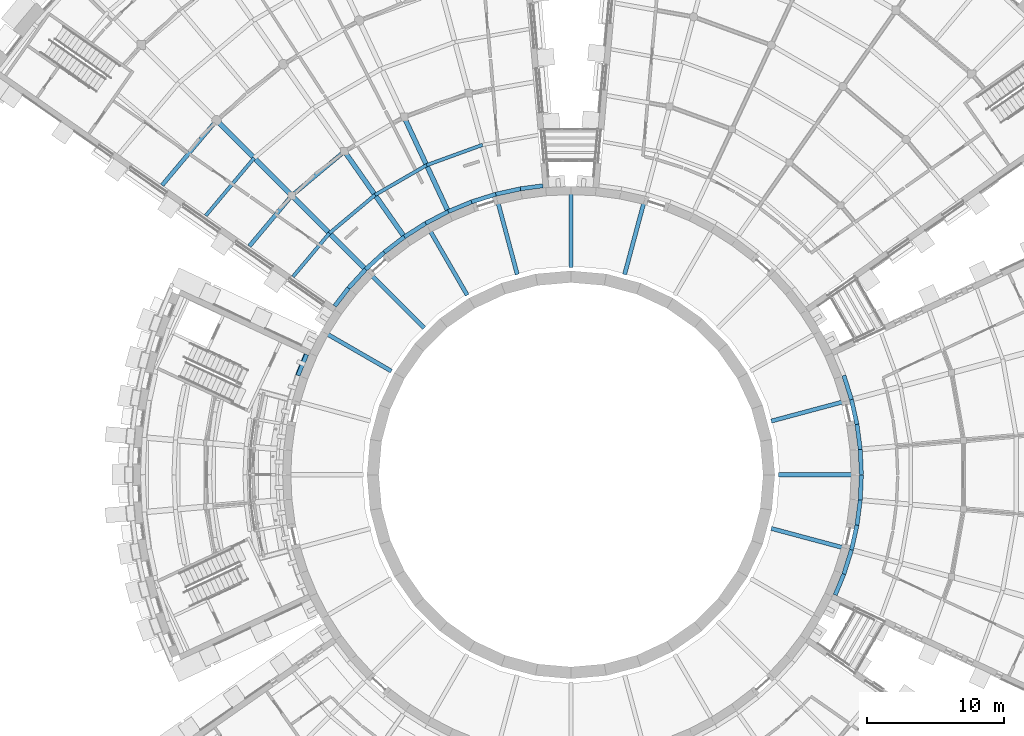
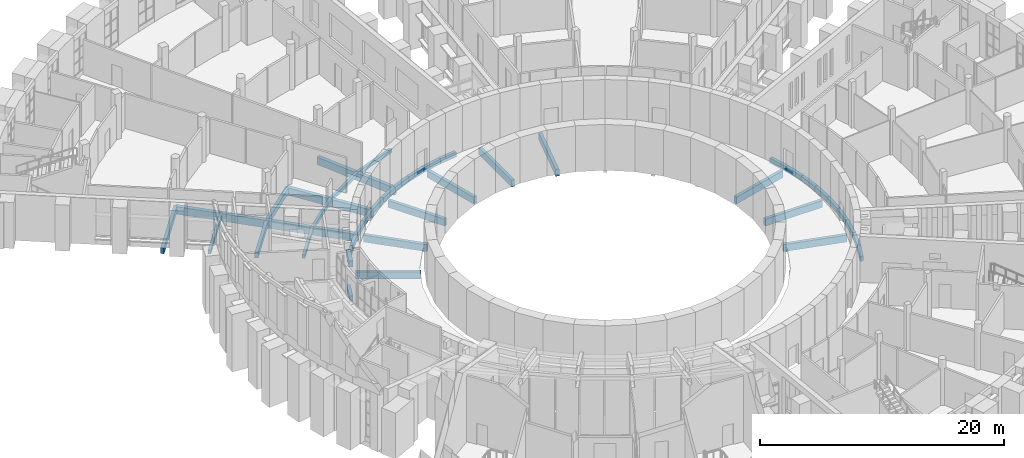
# One storey, part 12 of 66: 42 beams.
"""IFC4 building model written with IfcOpenShell, lengths in metres."""

from ifc_helpers import new_model, si_unit, direction, frame, origin, origin_2d, place, context, subcontext, project, spatial, rectangle, extrude, material, material_profile, profile_set, type_object, element, save


model = new_model("IFC4")

# Units and contexts
model_context = context("Model", 3, precision=1e-05, world=origin(), true_north=direction((0.0, 1.0)))
body_context = subcontext(model_context, "Body", "Model", "MODEL_VIEW")
ifc_project = project(units=[si_unit("LENGTHUNIT", "METRE"), si_unit("AREAUNIT", "SQUARE_METRE"), si_unit("VOLUMEUNIT", "CUBIC_METRE"), si_unit("PLANEANGLEUNIT", "RADIAN"), si_unit("MASSUNIT", "GRAM", prefix="KILO")], contexts=[model_context])

# Site, building, storey
site_placement = place(None, origin())
site = spatial("IfcSite", under=ifc_project, at=site_placement, CompositionType="ELEMENT")
building_placement = place(site_placement, origin())
building = spatial("IfcBuilding", under=site, at=building_placement, Name="Volute Hill Aquarium", CompositionType="ELEMENT")
storey_placement = place(building_placement, frame((0.0, 0.0, 4.60009765625)))
storey = spatial("IfcBuildingStorey", under=building, at=storey_placement, Name="L02", CompositionType="ELEMENT", Elevation=4.60009765625)

# Beams
ifc_material_1 = material(Name="Concrete C35/45", Category="concrete")
ifc_material_profile_1 = material_profile(ifc_material_1, rectangle(XDim=0.300048828125, YDim=0.550048828125, at=origin_2d()), Name="RC beam 300x550")
ifc_profile_set_1 = profile_set([ifc_material_profile_1], Name="Concrete C35/45")
beam_type_1 = type_object("IfcBeamType", Name="Beam 300x550 C35/45", PredefinedType="BEAM", material=ifc_profile_set_1)
beam_1_placement = place(storey_placement, frame((-16.490234375, 23.550537109375, -0.59521484375), z_axis=(-0.766064633548, -0.642763546902, 0.0), x_axis=(0.642763546902, -0.766064633548, 0.0)))
element("IfcBeam", 1, at=beam_1_placement, inside=storey, type_object=beam_type_1, Name="bm/S6/L02/ring1.20", PredefinedType="BEAM", context=body_context, shape_type="SweptSolid", body=[
    extrude(rectangle(XDim=0.300048828125, YDim=0.550048828125, at=origin_2d()), origin(), (0.0, 0.0, 1.0), 5.011474609375),
])
beam_2_placement = place(storey_placement, frame((-20.329345703125, 20.329345703125, -0.59521484375), z_axis=(-0.642751605204, -0.766074653025, 0.0), x_axis=(0.766074653025, -0.642751605204, 0.0)))
element("IfcBeam", 2, at=beam_2_placement, inside=storey, type_object=beam_type_1, Name="bm/S6/L02/ring1.21", PredefinedType="BEAM", context=body_context, shape_type="SweptSolid", body=[
    extrude(rectangle(XDim=0.300048828125, YDim=0.550048828125, at=origin_2d()), origin(), (0.0, 0.0, 1.0), 4.810546875),
])
ifc_material_2 = material(Name="Concrete C35/45", Category="concrete")
ifc_material_profile_2 = material_profile(ifc_material_2, rectangle(XDim=0.300048828125, YDim=0.60009765625, at=origin_2d()), Name="RC beam 300x600")
ifc_profile_set_2 = profile_set([ifc_material_profile_2], Name="Concrete C35/45")
beam_type_2 = type_object("IfcBeamType", Name="Beam 300x600 C35/45", PredefinedType="BEAM", material=ifc_profile_set_2)
beam_3_placement = place(storey_placement, frame((-25.809326171875, 25.809326171875, -0.6201171875), z_axis=(-0.642803579535, -0.766031042541, 0.0), x_axis=(0.766031042541, -0.642803579535, 0.0)))
element("IfcBeam", 3, at=beam_3_placement, inside=storey, type_object=beam_type_2, Name="bm/S6/L02/ring2.26", PredefinedType="BEAM", context=body_context, shape_type="SweptSolid", body=[
    extrude(rectangle(XDim=0.300048828125, YDim=0.60009765625, at=origin_2d()), origin(), (0.0, 0.0, 1.0), 6.16162109375),
])
ifc_material_3 = material(Name="Concrete C35/45", Category="concrete")
ifc_material_profile_3 = material_profile(ifc_material_3, rectangle(XDim=0.35009765625, YDim=0.75, at=origin_2d()), Name="RC beam 350x750")
ifc_profile_set_3 = profile_set([ifc_material_profile_3], Name="Concrete C35/45")
beam_type_3 = type_object("IfcBeamType", Name="Beam 350x750 C35/45", PredefinedType="BEAM", material=ifc_profile_set_3)
for number, where, z_axis, x_axis, name in (
    (4, (-8.875, 19.032470703125, -0.695068359375), (-0.422626766283, 0.906303821255, 0.0), (-0.906303821255, -0.422626766283, 0.0), "bm/S6/L02/rad2.5"),
    (5, (-12.045166015625, 17.2021484375, -0.695068359375), (-0.573565938589, 0.819159394801, 0.0), (-0.819159394801, -0.573565938589, 0.0), "bm/S6/L02/rad3.9"),
):
    element("IfcBeam", number, at=place(storey_placement, frame(where, z_axis=z_axis, x_axis=x_axis)), inside=storey, type_object=beam_type_3, Name=name, PredefinedType="BEAM", context=body_context, shape_type="SweptSolid", body=[
        extrude(rectangle(XDim=0.35009765625, YDim=0.75, at=origin_2d()), origin(), (0.0, 0.0, 1.0), 7.75),
    ])
beam_4_placement = place(storey_placement, frame((-14.84912109375, 14.84912109375, -0.695068359375), z_axis=(-0.707106781187, 0.707106781187, 0.0), x_axis=(-0.707106781187, -0.707106781187, 0.0)))
element("IfcBeam", 6, at=beam_4_placement, inside=storey, type_object=beam_type_3, Name="bm/S6/L02/rad4.13", PredefinedType="BEAM", context=body_context, shape_type="SweptSolid", body=[
    extrude(rectangle(XDim=0.35009765625, YDim=0.75, at=origin_2d()), origin(), (0.0, 0.0, 1.0), 7.750244140625),
])
beam_5_placement = place(storey_placement, frame((-20.329345703125, 20.329345703125, -0.695068359375), z_axis=(-0.707106781187, 0.707106781187, 0.0), x_axis=(-0.707106781187, -0.707106781187, 0.0)))
element("IfcBeam", 7, at=beam_5_placement, inside=storey, type_object=beam_type_3, Name="bm/S6/L02/rad4.14", PredefinedType="BEAM", context=body_context, shape_type="SweptSolid", body=[
    extrude(rectangle(XDim=0.35009765625, YDim=0.75, at=origin_2d()), origin(), (0.0, 0.0, 1.0), 7.749755859375),
])
ifc_material_4 = material(Name="Concrete C35/45", Category="concrete")
ifc_material_profile_4 = material_profile(ifc_material_4, rectangle(XDim=0.300048828125, YDim=0.5, at=origin_2d()), Name="RC edge beam 300x500")
ifc_profile_set_4 = profile_set([ifc_material_profile_4], Name="Concrete C35/45")
beam_type_4 = type_object("IfcBeamType", Name="Edge beam 300x500 C35/45", PredefinedType="BEAM", material=ifc_profile_set_4)
for number, where, z_axis, x_axis, name in (
    (8, (-19.2451171875, 8.75341796875, -0.47021484375), (-0.382675169935, -0.923882954879, 0.0), (0.923882954879, -0.382675169935, 0.0), "bm/S1/L02/edgeD.10"),
    (9, (19.2451171875, -8.75341796875, -0.489990234375), (0.382675169935, 0.923882954879, 0.0), (-0.923882954879, 0.382675169935, 0.0), "bm/S4/L02/edgeD.19"),
):
    element("IfcBeam", number, at=place(storey_placement, frame(where, z_axis=z_axis, x_axis=x_axis)), inside=storey, type_object=beam_type_4, Name=name, PredefinedType="BEAM", context=body_context, shape_type="SweptSolid", body=[
        extrude(rectangle(XDim=0.300048828125, YDim=0.5, at=origin_2d()), origin(), (0.0, 0.0, 1.0), 1.644775390625),
    ])
for number, where, z_axis, x_axis, name in (
    (10, (19.87451171875, -7.23388671875, -0.489990234375), (0.300745072312, 0.953704567191, 0.0), (-0.953704567191, 0.300745072312, 0.0), "bm/S4/L02/edgeD.20"),
    (11, (20.429443359375, -5.47412109375, -0.489990234375), (0.216454127071, 0.976292789523, 0.0), (-0.976292789523, 0.216454127071, 0.0), "bm/S4/L02/edgeD.21"),
):
    element("IfcBeam", number, at=place(storey_placement, frame(where, z_axis=z_axis, x_axis=x_axis)), inside=storey, type_object=beam_type_4, Name=name, PredefinedType="BEAM", context=body_context, shape_type="SweptSolid", body=[
        extrude(rectangle(XDim=0.300048828125, YDim=0.5, at=origin_2d()), origin(), (0.0, 0.0, 1.0), 1.84521484375),
    ])
beam_6_placement = place(storey_placement, frame((20.828857421875, -3.672607421875, -0.489990234375), z_axis=(0.130481898303, 0.991450691772, 0.0), x_axis=(-0.991450691772, 0.130481898303, 0.0)))
element("IfcBeam", 12, at=beam_6_placement, inside=storey, type_object=beam_type_4, Name="bm/S4/L02/edgeD.22", PredefinedType="BEAM", context=body_context, shape_type="SweptSolid", body=[
    extrude(rectangle(XDim=0.300048828125, YDim=0.5, at=origin_2d()), origin(), (0.0, 0.0, 1.0), 1.844970703125),
])
for number, where, z_axis, x_axis, name in (
    (13, (21.069580078125, -1.843505859375, -0.489990234375), (0.043661145699, 0.999046397499, 0.0), (-0.999046397499, 0.043661145699, 0.0), "bm/S4/L02/edgeD.23"),
    (14, (21.150146484375, 0.0, -0.489990234375), (-0.043661145699, 0.999046397499, 0.0), (-0.999046397499, -0.043661145699, 0.0), "bm/S4/L02/edgeD.24"),
):
    element("IfcBeam", number, at=place(storey_placement, frame(where, z_axis=z_axis, x_axis=x_axis)), inside=storey, type_object=beam_type_4, Name=name, PredefinedType="BEAM", context=body_context, shape_type="SweptSolid", body=[
        extrude(rectangle(XDim=0.300048828125, YDim=0.5, at=origin_2d()), origin(), (0.0, 0.0, 1.0), 1.84521484375),
    ])
beam_7_placement = place(storey_placement, frame((21.069580078125, 1.843505859375, -0.489990234375), z_axis=(-0.130481898303, 0.991450691772, 0.0), x_axis=(-0.991450691772, -0.130481898303, 0.0)))
element("IfcBeam", 15, at=beam_7_placement, inside=storey, type_object=beam_type_4, Name="bm/S4/L02/edgeD.25", PredefinedType="BEAM", context=body_context, shape_type="SweptSolid", body=[
    extrude(rectangle(XDim=0.300048828125, YDim=0.5, at=origin_2d()), origin(), (0.0, 0.0, 1.0), 1.844970703125),
])
for number, where, z_axis, x_axis, name in (
    (16, (20.828857421875, 3.672607421875, -0.489990234375), (-0.216454127071, 0.976292789523, 0.0), (-0.976292789523, -0.216454127071, 0.0), "bm/S4/L02/edgeD.26"),
    (17, (20.429443359375, 5.47412109375, -0.489990234375), (-0.300745072312, 0.953704567191, 0.0), (-0.953704567191, -0.300745072312, 0.0), "bm/S4/L02/edgeD.27"),
):
    element("IfcBeam", number, at=place(storey_placement, frame(where, z_axis=z_axis, x_axis=x_axis)), inside=storey, type_object=beam_type_4, Name=name, PredefinedType="BEAM", context=body_context, shape_type="SweptSolid", body=[
        extrude(rectangle(XDim=0.300048828125, YDim=0.5, at=origin_2d()), origin(), (0.0, 0.0, 1.0), 1.84521484375),
    ])
beam_8_placement = place(storey_placement, frame((-2.041748046875, 21.043701171875, -0.570068359375), z_axis=(-0.99143407694, -0.130608081992, 0.0), x_axis=(0.130608081992, -0.99143407694, 0.0)))
element("IfcBeam", 18, at=beam_8_placement, inside=storey, type_object=beam_type_4, Name="bm/S6/L02/edgeD.32", PredefinedType="BEAM", context=body_context, shape_type="SweptSolid", body=[
    extrude(rectangle(XDim=0.300048828125, YDim=0.5, at=origin_2d()), origin(), (0.0, 0.0, 1.0), 1.64501953125),
])
for number, where, z_axis, x_axis, name in (
    (19, (-3.672607421875, 20.828857421875, -0.570068359375), (-0.976292789523, -0.216454127071, 0.0), (0.216454127071, -0.976292789523, 0.0), "bm/S6/L02/edgeD.33"),
    (20, (-5.47412109375, 20.429443359375, -0.570068359375), (-0.953704567191, -0.300745072312, 0.0), (0.300745072312, -0.953704567191, 0.0), "bm/S6/L02/edgeD.34"),
):
    element("IfcBeam", number, at=place(storey_placement, frame(where, z_axis=z_axis, x_axis=x_axis)), inside=storey, type_object=beam_type_4, Name=name, PredefinedType="BEAM", context=body_context, shape_type="SweptSolid", body=[
        extrude(rectangle(XDim=0.300048828125, YDim=0.5, at=origin_2d()), origin(), (0.0, 0.0, 1.0), 1.84521484375),
    ])
beam_9_placement = place(storey_placement, frame((-7.23388671875, 19.87451171875, -0.570068359375), z_axis=(-0.923881361379, -0.382679017059, 0.0), x_axis=(0.382679017059, -0.923881361379, 0.0)))
element("IfcBeam", 21, at=beam_9_placement, inside=storey, type_object=beam_type_4, Name="bm/S6/L02/edgeD.35", PredefinedType="BEAM", context=body_context, shape_type="SweptSolid", body=[
    extrude(rectangle(XDim=0.300048828125, YDim=0.5, at=origin_2d()), origin(), (0.0, 0.0, 1.0), 1.844970703125),
])
beam_10_placement = place(storey_placement, frame((-8.9384765625, 19.16845703125, -0.570068359375), z_axis=(-0.887058600994, -0.461656840523, 0.0), x_axis=(0.461656840523, -0.887058600994, 0.0)))
element("IfcBeam", 22, at=beam_10_placement, inside=storey, type_object=beam_type_4, Name="bm/S6/L02/edgeD.36", PredefinedType="BEAM", context=body_context, shape_type="SweptSolid", body=[
    extrude(rectangle(XDim=0.300048828125, YDim=0.5, at=origin_2d()), origin(), (0.0, 0.0, 1.0), 1.84521484375),
])
beam_11_placement = place(storey_placement, frame((-10.5751953125, 18.316650390625, -0.570068359375), z_axis=(-0.843334400185, -0.537389141558, 0.0), x_axis=(0.537389141558, -0.843334400185, 0.0)))
element("IfcBeam", 23, at=beam_11_placement, inside=storey, type_object=beam_type_4, Name="bm/S6/L02/edgeD.37", PredefinedType="BEAM", context=body_context, shape_type="SweptSolid", body=[
    extrude(rectangle(XDim=0.300048828125, YDim=0.5, at=origin_2d()), origin(), (0.0, 0.0, 1.0), 1.844970703125),
])
for number, where, z_axis, x_axis, name in (
    (24, (-12.131103515625, 17.3251953125, -0.570068359375), (-0.79334647843, -0.608770371457, 0.0), (0.608770371457, -0.79334647843, 0.0), "bm/S6/L02/edgeD.38"),
    (25, (-13.594970703125, 16.201904296875, -0.570068359375), (-0.73726397759, -0.675604786356, 0.0), (0.675604786356, -0.73726397759, 0.0), "bm/S6/L02/edgeD.39"),
    (26, (-14.955322265625, 14.955322265625, -0.570068359375), (-0.675604786356, -0.73726397759, 0.0), (0.73726397759, -0.675604786356, 0.0), "bm/S6/L02/edgeD.40"),
):
    element("IfcBeam", number, at=place(storey_placement, frame(where, z_axis=z_axis, x_axis=x_axis)), inside=storey, type_object=beam_type_4, Name=name, PredefinedType="BEAM", context=body_context, shape_type="SweptSolid", body=[
        extrude(rectangle(XDim=0.300048828125, YDim=0.5, at=origin_2d()), origin(), (0.0, 0.0, 1.0), 1.84521484375),
    ])
beam_12_placement = place(storey_placement, frame((-16.201904296875, 13.594970703125, -0.570068359375), z_axis=(-0.608820957391, -0.793307659009, 0.0), x_axis=(0.793307659009, -0.608820957391, 0.0)))
element("IfcBeam", 27, at=beam_12_placement, inside=storey, type_object=beam_type_4, Name="bm/S6/L02/edgeD.41", PredefinedType="BEAM", context=body_context, shape_type="SweptSolid", body=[
    extrude(rectangle(XDim=0.300048828125, YDim=0.5, at=origin_2d()), origin(), (0.0, 0.0, 1.0), 1.64501953125),
])
ifc_material_5 = material(Name="Concrete C35/45", Category="concrete")
ifc_material_profile_5 = material_profile(ifc_material_5, rectangle(XDim=0.35009765625, YDim=0.60009765625, at=origin_2d()), Name="RC edge beam 350x600")
ifc_profile_set_5 = profile_set([ifc_material_profile_5], Name="Concrete C35/45")
beam_type_5 = type_object("IfcBeamType", Name="Edge beam 350x600 C35/45", PredefinedType="BEAM", material=ifc_profile_set_5)
beam_13_placement = place(storey_placement, frame((-19.267822265625, 8.763916015625, 3.0), z_axis=(-0.382709603937, -0.923868691457, 0.0), x_axis=(0.923868691457, -0.382709603937, 0.0)))
element("IfcBeam", 28, at=beam_13_placement, inside=storey, type_object=beam_type_5, Name="rb/S1/L02/edgeD.47", PredefinedType="BEAM", context=body_context, shape_type="SweptSolid", body=[
    extrude(rectangle(XDim=0.35009765625, YDim=0.60009765625, at=origin_2d()), origin(), (0.0, 0.0, 1.0), 1.647216796875),
])
ifc_material_6 = material(Name="Concrete C35/45", Category="concrete")
ifc_material_profile_6 = material_profile(ifc_material_6, rectangle(XDim=0.300048828125, YDim=0.699951171875, at=origin_2d()), Name="RC beam 300x700")
ifc_profile_set_6 = profile_set([ifc_material_profile_6], Name="Concrete C35/45")
beam_type_6 = type_object("IfcBeamType", Name="Gallery beam RC 300x700", PredefinedType="BEAM", material=ifc_profile_set_6)
beam_14_placement = place(storey_placement, frame((15.10009765625, 0.0, -0.650146484375), z_axis=(1.0, 0.0, 0.0), x_axis=(0.0, 1.0, 0.0)))
element("IfcBeam", 29, at=beam_14_placement, inside=storey, type_object=beam_type_6, Name="bm/DR/L02/0", PredefinedType="BEAM", context=body_context, shape_type="SweptSolid", body=[
    extrude(rectangle(XDim=0.300048828125, YDim=0.699951171875, at=origin_2d()), origin(), (0.0, 0.0, 1.0), 5.39990234375),
])
for number, where, z_axis, x_axis, name in (
    (30, (14.58544921875, 3.908203125, -0.650146484375), (0.965922825334, 0.258830244561, 0.0), (-0.258830244561, 0.965922825334, 0.0), "bm/DR/L02/1"),
    (31, (3.908203125, 14.58544921875, -0.650146484375), (0.258830244561, 0.965922825334, 0.0), (-0.965922825334, 0.258830244561, 0.0), "bm/DR/L02/5"),
):
    element("IfcBeam", number, at=place(storey_placement, frame(where, z_axis=z_axis, x_axis=x_axis)), inside=storey, type_object=beam_type_6, Name=name, PredefinedType="BEAM", context=body_context, shape_type="SweptSolid", body=[
        extrude(rectangle(XDim=0.300048828125, YDim=0.699951171875, at=origin_2d()), origin(), (0.0, 0.0, 1.0), 5.400146484375),
    ])
beam_15_placement = place(storey_placement, frame((0.0, 15.10009765625, -0.650146484375), z_axis=(0.0, 1.0, 0.0), x_axis=(-1.0, 0.0, 0.0)))
element("IfcBeam", 32, at=beam_15_placement, inside=storey, type_object=beam_type_6, Name="bm/DR/L02/6", PredefinedType="BEAM", context=body_context, shape_type="SweptSolid", body=[
    extrude(rectangle(XDim=0.300048828125, YDim=0.699951171875, at=origin_2d()), origin(), (0.0, 0.0, 1.0), 5.39990234375),
])
beam_16_placement = place(storey_placement, frame((-3.908203125, 14.58544921875, -0.650146484375), z_axis=(-0.258830244561, 0.965922825334, 0.0), x_axis=(-0.965922825334, -0.258830244561, 0.0)))
element("IfcBeam", 33, at=beam_16_placement, inside=storey, type_object=beam_type_6, Name="bm/DR/L02/7", PredefinedType="BEAM", context=body_context, shape_type="SweptSolid", body=[
    extrude(rectangle(XDim=0.300048828125, YDim=0.699951171875, at=origin_2d()), origin(), (0.0, 0.0, 1.0), 5.400146484375),
])
for number, where, z_axis, x_axis, name in (
    (34, (-7.550048828125, 13.076904296875, -0.650146484375), (-0.499995103361, 0.866028230842, 0.0), (-0.866028230842, -0.499995103361, 0.0), "bm/DR/L02/8"),
    (35, (-10.67724609375, 10.67724609375, -0.650146484375), (-0.707106781187, 0.707106781187, 0.0), (-0.707106781187, -0.707106781187, 0.0), "bm/DR/L02/9"),
    (36, (-13.076904296875, 7.550048828125, -0.650146484375), (-0.866028230842, 0.499995103361, 0.0), (-0.499995103361, -0.866028230842, 0.0), "bm/DR/L02/10"),
):
    element("IfcBeam", number, at=place(storey_placement, frame(where, z_axis=z_axis, x_axis=x_axis)), inside=storey, type_object=beam_type_6, Name=name, PredefinedType="BEAM", context=body_context, shape_type="SweptSolid", body=[
        extrude(rectangle(XDim=0.300048828125, YDim=0.699951171875, at=origin_2d()), origin(), (0.0, 0.0, 1.0), 5.39990234375),
    ])
beam_17_placement = place(storey_placement, frame((14.58544921875, -3.908203125, -0.650146484375), z_axis=(0.965922825334, -0.258830244561, 0.0), x_axis=(0.258830244561, 0.965922825334, 0.0)))
element("IfcBeam", 37, at=beam_17_placement, inside=storey, type_object=beam_type_6, Name="bm/DR/L02/23", PredefinedType="BEAM", context=body_context, shape_type="SweptSolid", body=[
    extrude(rectangle(XDim=0.300048828125, YDim=0.699951171875, at=origin_2d()), origin(), (0.0, 0.0, 1.0), 5.400146484375),
])
ifc_material_7 = material(Name="Concrete C35/45", Category="concrete")
ifc_material_profile_7 = material_profile(ifc_material_7, rectangle(XDim=0.25, YDim=0.35009765625, at=origin_2d()), Name="RC joist 250x350")
ifc_profile_set_7 = profile_set([ifc_material_profile_7], Name="Concrete C35/45")
beam_type_7 = type_object("IfcBeamType", Name="Joist 250x350 C35/45", PredefinedType="BEAM", material=ifc_profile_set_7)
beam_18_placement = place(storey_placement, frame((-6.43798828125, 24.02734375, -0.4951171875), z_axis=(-0.939704621376, -0.341987170176, 0.0), x_axis=(0.341987170176, -0.939704621376, 0.0)))
element("IfcBeam", 38, at=beam_18_placement, inside=storey, type_object=beam_type_7, Name="bm/S6/L02/jst2", PredefinedType="BEAM", context=body_context, shape_type="SweptSolid", body=[
    extrude(rectangle(XDim=0.25, YDim=0.35009765625, at=origin_2d()), origin(), (0.0, 0.0, 1.0), 4.336181640625),
])
beam_19_placement = place(storey_placement, frame((-10.5126953125, 22.54443359375, -0.4951171875), z_axis=(-0.866016800201, -0.500014901547, 0.0), x_axis=(0.500014901547, -0.866016800201, 0.0)))
element("IfcBeam", 39, at=beam_19_placement, inside=storey, type_object=beam_type_7, Name="bm/S6/L02/jst3", PredefinedType="BEAM", context=body_context, shape_type="SweptSolid", body=[
    extrude(rectangle(XDim=0.25, YDim=0.35009765625, at=origin_2d()), origin(), (0.0, 0.0, 1.0), 4.335693359375),
])
beam_20_placement = place(storey_placement, frame((-14.267578125, 20.37646484375, -0.4951171875), z_axis=(-0.766066333115, -0.642761521303, 0.0), x_axis=(0.642761521303, -0.766066333115, 0.0)))
element("IfcBeam", 40, at=beam_20_placement, inside=storey, type_object=beam_type_7, Name="bm/S6/L02/jst4", PredefinedType="BEAM", context=body_context, shape_type="SweptSolid", body=[
    extrude(rectangle(XDim=0.25, YDim=0.35009765625, at=origin_2d()), origin(), (0.0, 0.0, 1.0), 4.336181640625),
])
beam_21_placement = place(storey_placement, frame((-17.58935546875, 17.58935546875, -0.4951171875), z_axis=(-0.642747531021, -0.766078071326, 0.0), x_axis=(0.766078071326, -0.642747531021, 0.0)))
element("IfcBeam", 41, at=beam_21_placement, inside=storey, type_object=beam_type_7, Name="bm/S6/L02/jst5", PredefinedType="BEAM", context=body_context, shape_type="SweptSolid", body=[
    extrude(rectangle(XDim=0.25, YDim=0.35009765625, at=origin_2d()), origin(), (0.0, 0.0, 1.0), 4.13525390625),
])
ifc_material_8 = material(Name="Concrete C35/45", Category="concrete")
ifc_material_profile_8 = material_profile(ifc_material_8, rectangle(XDim=0.25, YDim=0.39990234375, at=origin_2d()), Name="RC joist 250x400")
ifc_profile_set_8 = profile_set([ifc_material_profile_8], Name="Concrete C35/45")
beam_type_8 = type_object("IfcBeamType", Name="Joist 250x400 C35/45", PredefinedType="BEAM", material=ifc_profile_set_8)
beam_22_placement = place(storey_placement, frame((-23.0693359375, 23.0693359375, -0.52001953125), z_axis=(-0.642780792417, -0.766050163436, 0.0), x_axis=(0.766050163436, -0.642780792417, 0.0)))
element("IfcBeam", 42, at=beam_22_placement, inside=storey, type_object=beam_type_8, Name="bm/S6/L02/jst10", PredefinedType="BEAM", context=body_context, shape_type="SweptSolid", body=[
    extrude(rectangle(XDim=0.25, YDim=0.39990234375, at=origin_2d()), origin(), (0.0, 0.0, 1.0), 5.486083984375),
])

save(model, "model.ifc")
